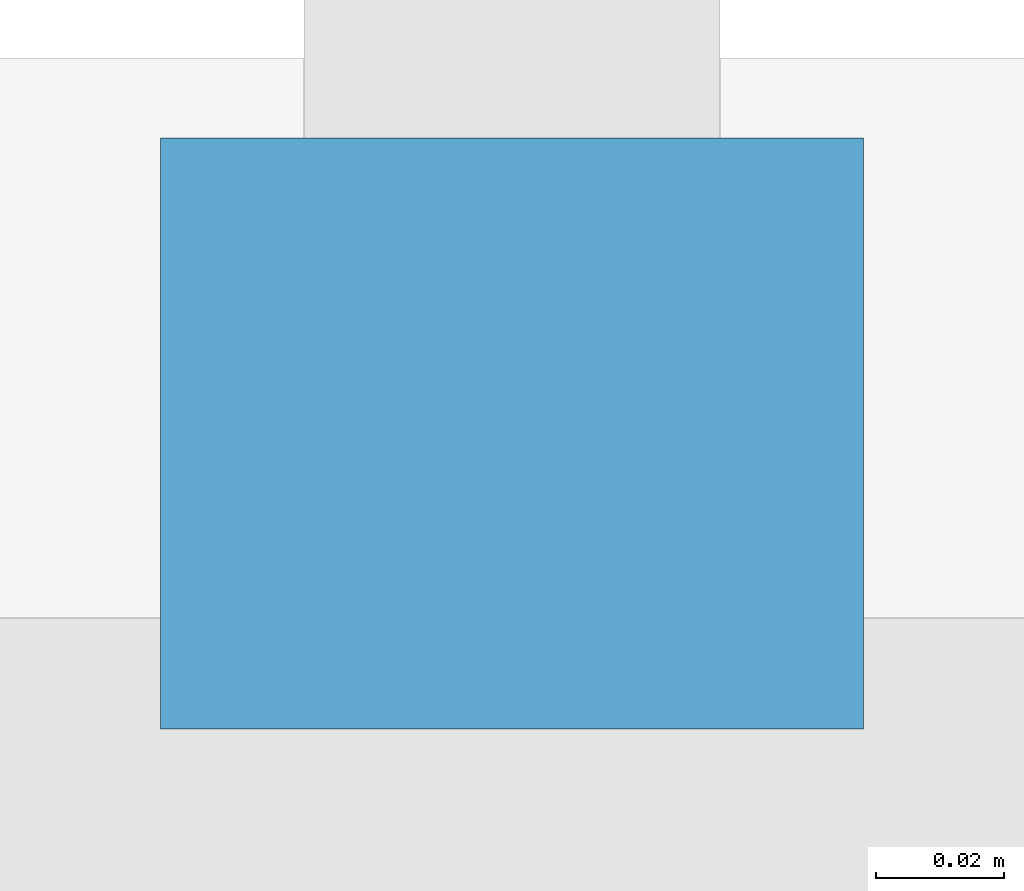
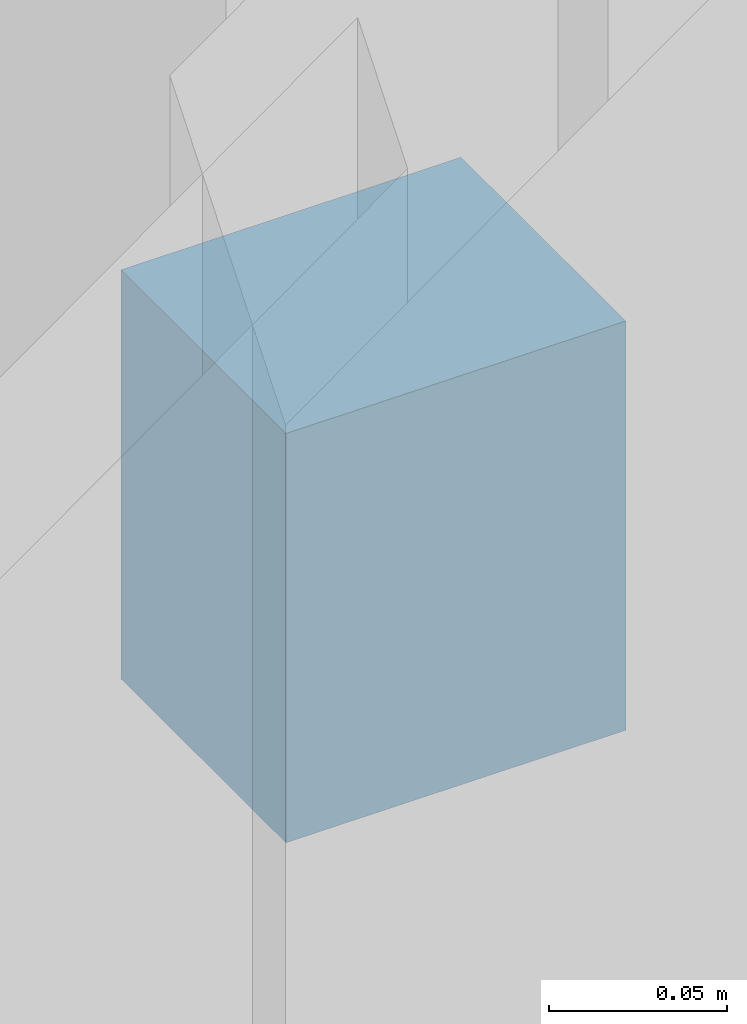
# One storey, part 13 of 15: 1 discrete accessory.
"""IFC4 building model written with IfcOpenShell, lengths in metres."""

from ifc_helpers import new_model, si_unit, direction, frame, origin, place, context, subcontext, project, spatial, polyline, outline, extrude, material, type_object, element, save


model = new_model("IFC4")

# Units and contexts
model_context = context("Model", 3, precision=1e-05, world=origin(), true_north=direction((0.0, 1.0)))
body_context = subcontext(model_context, "Body", "Model", "MODEL_VIEW")
ifc_project = project(units=[si_unit("LENGTHUNIT", "METRE"), si_unit("AREAUNIT", "SQUARE_METRE"), si_unit("VOLUMEUNIT", "CUBIC_METRE"), si_unit("PLANEANGLEUNIT", "RADIAN"), si_unit("MASSUNIT", "GRAM", prefix="KILO")], contexts=[model_context])

# Site, building, storey
site_placement = place(None, origin())
site = spatial("IfcSite", under=ifc_project, at=site_placement, CompositionType="ELEMENT")
building_placement = place(site_placement, origin())
building = spatial("IfcBuilding", under=site, at=building_placement, Name="Qalmaran Belvedere Hotel", CompositionType="ELEMENT")
storey_placement = place(building_placement, frame((0.0, 0.0, 221.39990234375)))
storey = spatial("IfcBuildingStorey", under=building, at=storey_placement, Name="L56", CompositionType="ELEMENT", Elevation=221.39990234375)

# Discrete accessory
ifc_material = material(Name="Stainless Steel 1.4401", Category="steel")
discrete_accessory_type = type_object("IfcDiscreteAccessoryType", Name="BRK-FIN-SS316", PredefinedType="BRACKET", material=ifc_material)
discrete_accessory_placement = place(storey_placement, frame((0.0, 0.0, 1.580078125)))
element("IfcDiscreteAccessory", 1, at=discrete_accessory_placement, inside=storey, type_object=discrete_accessory_type, Name="L56 Fin Bracket 1", PredefinedType="BRACKET", context=body_context, shape_type="SweptSolid", body=[
    extrude(outline(polyline([(23.830078125, 41.39501953125), (23.830078125, 41.487548828125), (23.719970703125, 41.487548828125), (23.719970703125, 41.39501953125), (23.830078125, 41.39501953125)])), origin(), (0.0, 0.0, 1.0), 0.14013671875),
])

save(model, "model.ifc")
